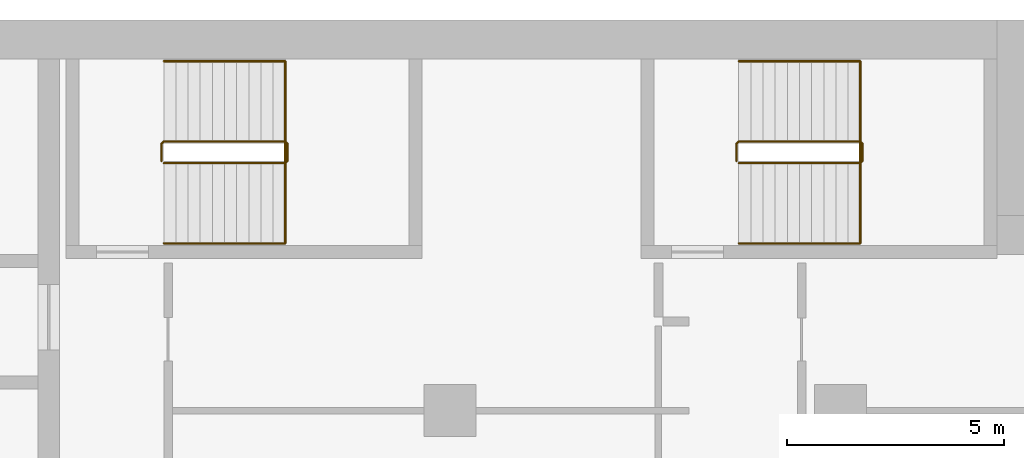
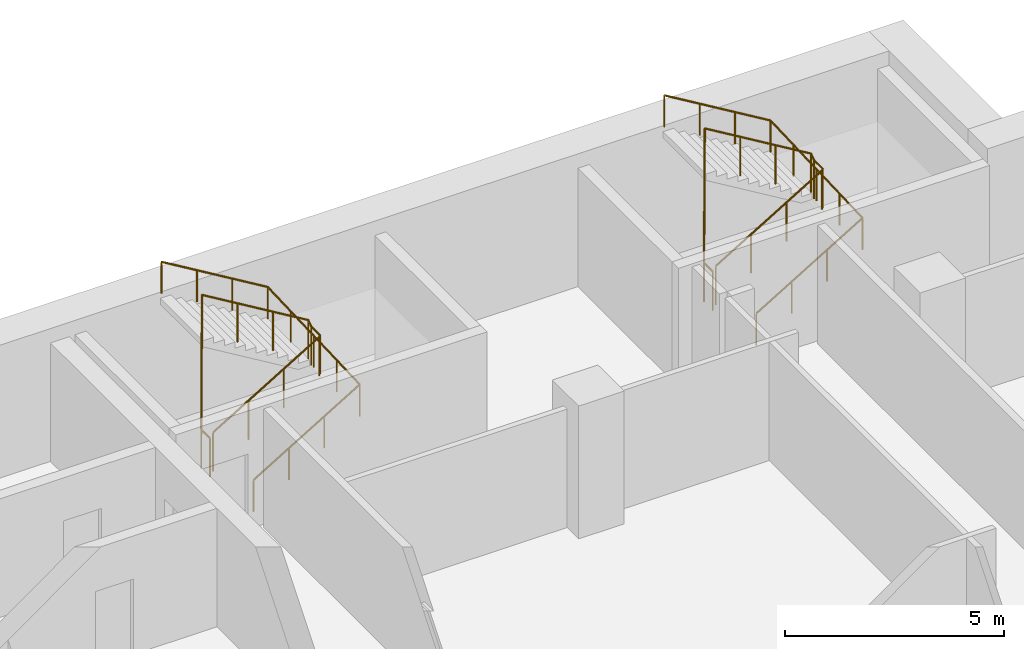
# One storey, part 22 of 22: 4 railings.
"""IFC4 building model written with IfcOpenShell, lengths in metres."""

from ifc_helpers import new_model, si_unit, direction, frame, origin, origin_2d, place, context, subcontext, project, spatial, circle, extrude, material, type_object, element, save


model = new_model("IFC4")

# Units and contexts
model_context = context("Model", 3, precision=1e-05, world=origin(), true_north=direction((0.0, 1.0)))
body_context = subcontext(model_context, "Body", "Model", "MODEL_VIEW")
ifc_project = project(units=[si_unit("LENGTHUNIT", "METRE"), si_unit("AREAUNIT", "SQUARE_METRE"), si_unit("VOLUMEUNIT", "CUBIC_METRE"), si_unit("PLANEANGLEUNIT", "RADIAN"), si_unit("MASSUNIT", "GRAM", prefix="KILO")], contexts=[model_context])

# Site, building, storey
site_placement = place(None, origin())
site = spatial("IfcSite", under=ifc_project, at=site_placement, CompositionType="ELEMENT")
building_placement = place(site_placement, origin())
building = spatial("IfcBuilding", under=site, at=building_placement, Name="Hunhe Ridgeline Campus", CompositionType="ELEMENT")
storey_placement = place(building_placement, frame((0.0, 0.0, 163.39990234375)))
storey = spatial("IfcBuildingStorey", under=building, at=storey_placement, Name="L41", CompositionType="ELEMENT", Elevation=163.39990234375)

# Railings
ifc_material_1 = material(Name="Stainless steel balustrade", Category="steel")
railing_type_1 = type_object("IfcRailingType", Name="Stair guard 1100 stainless", PredefinedType="GUARDRAIL", material=ifc_material_1)
railing_1_placement = place(storey_placement, frame((38.39990234375, 95.699951171875, 0.168212890625)))
element("IfcRailing", 1, at=railing_1_placement, inside=storey, type_object=railing_type_1, Name="L41 stair E1 guard", PredefinedType="GUARDRAIL", context=body_context, shape_type="SweptSolid", body=[
    extrude(circle(Radius=0.02392578125, at=origin_2d()), frame((0.0, 0.0, 1.076171875), z_axis=(0.857242210791, 0.0, 0.514913383045), x_axis=(0.0, 1.0, 0.0)), (0.0, 0.0, 1.0), 3.266357421875),
    extrude(circle(Radius=0.02392578125, at=origin_2d()), frame((2.800048828125, 0.0, 2.7578125), z_axis=(0.707106781187, 0.707106781187, 0.0), x_axis=(-0.707106781187, 0.707106781187, 0.0)), (0.0, 0.0, 1.0), 0.07080078125),
    extrude(circle(Radius=0.02392578125, at=origin_2d()), frame((2.85009765625, 0.050048828125, 2.7578125), z_axis=(0.0, 1.0, 0.0), x_axis=(-1.0, 0.0, 0.0)), (0.0, 0.0, 1.0), 0.39990234375),
    extrude(circle(Radius=0.02392578125, at=origin_2d()), frame((2.85009765625, 0.449951171875, 2.7578125), z_axis=(-0.274243871929, 0.274243871929, 0.92172696468), x_axis=(-0.707106781187, -0.707106781187, 0.0)), (0.0, 0.0, 1.0), 0.1826171875),
    extrude(circle(Radius=0.02392578125, at=origin_2d()), frame((2.800048828125, 0.5, 2.92626953125), z_axis=(-0.857242210791, 0.0, 0.514913383045), x_axis=(0.0, -1.0, 0.0)), (0.0, 0.0, 1.0), 3.266357421875),
    extrude(circle(Radius=0.02392578125, at=origin_2d()), frame((0.0, 0.5, 4.60791015625), z_axis=(-0.013457565943, -0.013523534403, -0.999817987404), x_axis=(0.708833529934, -0.705375805398, 0.0)), (0.0, 0.0, 1.0), 3.700927734375),
    extrude(circle(Radius=0.02392578125, at=origin_2d()), frame((-0.0498046875, 0.449951171875, 0.90771484375), z_axis=(0.0, -1.0, 0.0), x_axis=(1.0, 0.0, 0.0)), (0.0, 0.0, 1.0), 0.39990234375),
    extrude(circle(Radius=0.02099609375, at=origin_2d()), origin(), (0.0, 0.0, 1.0), 1.052001953125),
    extrude(circle(Radius=0.02099609375, at=origin_2d()), frame((0.933349609375, 0.0, 0.560546875)), (0.0, 0.0, 1.0), 1.052001953125),
    extrude(circle(Radius=0.02099609375, at=origin_2d()), frame((1.86669921875, 0.0, 1.121337890625)), (0.0, 0.0, 1.0), 1.052001953125),
    extrude(circle(Radius=0.02099609375, at=origin_2d()), frame((2.800048828125, 0.0, 1.681884765625)), (0.0, 0.0, 1.0), 1.052001953125),
    extrude(circle(Radius=0.02099609375, at=origin_2d()), frame((2.85009765625, 0.050048828125, 1.681884765625)), (0.0, 0.0, 1.0), 1.052001953125),
    extrude(circle(Radius=0.02099609375, at=origin_2d()), frame((2.85009765625, 0.449951171875, 1.681884765625)), (0.0, 0.0, 1.0), 1.052001953125),
    extrude(circle(Radius=0.02099609375, at=origin_2d()), frame((2.800048828125, 0.5, 1.85009765625)), (0.0, 0.0, 1.0), 1.052001953125),
    extrude(circle(Radius=0.02099609375, at=origin_2d()), frame((1.86669921875, 0.5, 2.41064453125)), (0.0, 0.0, 1.0), 1.052001953125),
    extrude(circle(Radius=0.02099609375, at=origin_2d()), frame((0.933349609375, 0.5, 2.971435546875)), (0.0, 0.0, 1.0), 1.052001953125),
    extrude(circle(Radius=0.02099609375, at=origin_2d()), frame((0.0, 0.5, 3.531982421875)), (0.0, 0.0, 1.0), 1.052001953125),
    extrude(circle(Radius=0.02099609375, at=origin_2d()), frame((-0.012451171875, 0.487548828125, 2.60693359375)), (0.0, 0.0, 1.0), 1.052001953125),
    extrude(circle(Radius=0.02099609375, at=origin_2d()), frame((-0.02490234375, 0.47509765625, 1.681884765625)), (0.0, 0.0, 1.0), 1.052001953125),
    extrude(circle(Radius=0.02099609375, at=origin_2d()), frame((-0.037353515625, 0.46240234375, 0.7568359375)), (0.0, 0.0, 1.0), 1.052001953125),
    extrude(circle(Radius=0.02099609375, at=origin_2d()), frame((-0.0498046875, 0.449951171875, -0.168212890625)), (0.0, 0.0, 1.0), 1.052001953125),
    extrude(circle(Radius=0.02099609375, at=origin_2d()), frame((-0.0498046875, 0.050048828125, -0.168212890625)), (0.0, 0.0, 1.0), 1.052001953125),
])
railing_2_placement = place(storey_placement, frame((51.64990234375, 95.699951171875, 0.168212890625)))
element("IfcRailing", 2, at=railing_2_placement, inside=storey, type_object=railing_type_1, Name="L41 stair E2 guard", PredefinedType="GUARDRAIL", context=body_context, shape_type="SweptSolid", body=[
    extrude(circle(Radius=0.02392578125, at=origin_2d()), frame((0.0, 0.0, 1.076171875), z_axis=(0.857242210791, 0.0, 0.514913383045), x_axis=(0.0, 1.0, 0.0)), (0.0, 0.0, 1.0), 3.266357421875),
    extrude(circle(Radius=0.02392578125, at=origin_2d()), frame((2.800048828125, 0.0, 2.7578125), z_axis=(0.707106781187, 0.707106781187, 0.0), x_axis=(-0.707106781187, 0.707106781187, 0.0)), (0.0, 0.0, 1.0), 0.07080078125),
    extrude(circle(Radius=0.02392578125, at=origin_2d()), frame((2.85009765625, 0.050048828125, 2.7578125), z_axis=(0.0, 1.0, 0.0), x_axis=(-1.0, 0.0, 0.0)), (0.0, 0.0, 1.0), 0.39990234375),
    extrude(circle(Radius=0.02392578125, at=origin_2d()), frame((2.85009765625, 0.449951171875, 2.7578125), z_axis=(-0.274243871929, 0.274243871929, 0.92172696468), x_axis=(-0.707106781187, -0.707106781187, 0.0)), (0.0, 0.0, 1.0), 0.1826171875),
    extrude(circle(Radius=0.02392578125, at=origin_2d()), frame((2.800048828125, 0.5, 2.92626953125), z_axis=(-0.857242210791, 0.0, 0.514913383045), x_axis=(0.0, -1.0, 0.0)), (0.0, 0.0, 1.0), 3.266357421875),
    extrude(circle(Radius=0.02392578125, at=origin_2d()), frame((0.0, 0.5, 4.60791015625), z_axis=(-0.013457565943, -0.013523534403, -0.999817987404), x_axis=(0.708833529934, -0.705375805398, 0.0)), (0.0, 0.0, 1.0), 3.700927734375),
    extrude(circle(Radius=0.02392578125, at=origin_2d()), frame((-0.0498046875, 0.449951171875, 0.90771484375), z_axis=(0.0, -1.0, 0.0), x_axis=(1.0, 0.0, 0.0)), (0.0, 0.0, 1.0), 0.39990234375),
    extrude(circle(Radius=0.02099609375, at=origin_2d()), origin(), (0.0, 0.0, 1.0), 1.052001953125),
    extrude(circle(Radius=0.02099609375, at=origin_2d()), frame((0.933349609375, 0.0, 0.560546875)), (0.0, 0.0, 1.0), 1.052001953125),
    extrude(circle(Radius=0.02099609375, at=origin_2d()), frame((1.86669921875, 0.0, 1.121337890625)), (0.0, 0.0, 1.0), 1.052001953125),
    extrude(circle(Radius=0.02099609375, at=origin_2d()), frame((2.800048828125, 0.0, 1.681884765625)), (0.0, 0.0, 1.0), 1.052001953125),
    extrude(circle(Radius=0.02099609375, at=origin_2d()), frame((2.85009765625, 0.050048828125, 1.681884765625)), (0.0, 0.0, 1.0), 1.052001953125),
    extrude(circle(Radius=0.02099609375, at=origin_2d()), frame((2.85009765625, 0.449951171875, 1.681884765625)), (0.0, 0.0, 1.0), 1.052001953125),
    extrude(circle(Radius=0.02099609375, at=origin_2d()), frame((2.800048828125, 0.5, 1.85009765625)), (0.0, 0.0, 1.0), 1.052001953125),
    extrude(circle(Radius=0.02099609375, at=origin_2d()), frame((1.86669921875, 0.5, 2.41064453125)), (0.0, 0.0, 1.0), 1.052001953125),
    extrude(circle(Radius=0.02099609375, at=origin_2d()), frame((0.933349609375, 0.5, 2.971435546875)), (0.0, 0.0, 1.0), 1.052001953125),
    extrude(circle(Radius=0.02099609375, at=origin_2d()), frame((0.0, 0.5, 3.531982421875)), (0.0, 0.0, 1.0), 1.052001953125),
    extrude(circle(Radius=0.02099609375, at=origin_2d()), frame((-0.012451171875, 0.487548828125, 2.60693359375)), (0.0, 0.0, 1.0), 1.052001953125),
    extrude(circle(Radius=0.02099609375, at=origin_2d()), frame((-0.02490234375, 0.47509765625, 1.681884765625)), (0.0, 0.0, 1.0), 1.052001953125),
    extrude(circle(Radius=0.02099609375, at=origin_2d()), frame((-0.037353515625, 0.46240234375, 0.7568359375)), (0.0, 0.0, 1.0), 1.052001953125),
    extrude(circle(Radius=0.02099609375, at=origin_2d()), frame((-0.0498046875, 0.449951171875, -0.168212890625)), (0.0, 0.0, 1.0), 1.052001953125),
    extrude(circle(Radius=0.02099609375, at=origin_2d()), frame((-0.0498046875, 0.050048828125, -0.168212890625)), (0.0, 0.0, 1.0), 1.052001953125),
])
ifc_material_2 = material(Name="Stainless steel handrail", Category="steel")
railing_type_2 = type_object("IfcRailingType", Name="Stair handrail 900 stainless", PredefinedType="HANDRAIL", material=ifc_material_2)
railing_3_placement = place(storey_placement, frame((38.39990234375, 93.85009765625, 0.168212890625)))
element("IfcRailing", 3, at=railing_3_placement, inside=storey, type_object=railing_type_2, Name="L41 stair E1 handrail", PredefinedType="HANDRAIL", context=body_context, shape_type="SweptSolid", body=[
    extrude(circle(Radius=0.02392578125, at=origin_2d()), frame((0.0, 0.0, 0.8759765625), z_axis=(0.857242210791, 0.0, 0.514913383045), x_axis=(0.0, 1.0, 0.0)), (0.0, 0.0, 1.0), 3.266357421875),
    extrude(circle(Radius=0.02392578125, at=origin_2d()), frame((2.800048828125, 0.0, 2.5576171875), z_axis=(0.0, 0.999198916169, 0.040019069537), x_axis=(-1.0, 0.0, 0.0)), (0.0, 0.0, 1.0), 4.203369140625),
    extrude(circle(Radius=0.02392578125, at=origin_2d()), frame((2.800048828125, 4.199951171875, 2.72607421875), z_axis=(-0.857242210791, 0.0, 0.514913383045), x_axis=(0.0, -1.0, 0.0)), (0.0, 0.0, 1.0), 3.266357421875),
    extrude(circle(Radius=0.02099609375, at=origin_2d()), origin(), (0.0, 0.0, 1.0), 0.851806640625),
    extrude(circle(Radius=0.02099609375, at=origin_2d()), frame((0.933349609375, 0.0, 0.560546875)), (0.0, 0.0, 1.0), 0.851806640625),
    extrude(circle(Radius=0.02099609375, at=origin_2d()), frame((1.86669921875, 0.0, 1.121337890625)), (0.0, 0.0, 1.0), 0.851806640625),
    extrude(circle(Radius=0.02099609375, at=origin_2d()), frame((2.800048828125, 0.0, 1.681884765625)), (0.0, 0.0, 1.0), 0.851806640625),
    extrude(circle(Radius=0.02099609375, at=origin_2d()), frame((2.800048828125, 1.050048828125, 1.723876953125)), (0.0, 0.0, 1.0), 0.851806640625),
    extrude(circle(Radius=0.02099609375, at=origin_2d()), frame((2.800048828125, 2.10009765625, 1.76611328125)), (0.0, 0.0, 1.0), 0.851806640625),
    extrude(circle(Radius=0.02099609375, at=origin_2d()), frame((2.800048828125, 3.14990234375, 1.80810546875)), (0.0, 0.0, 1.0), 0.851806640625),
    extrude(circle(Radius=0.02099609375, at=origin_2d()), frame((2.800048828125, 4.199951171875, 1.85009765625)), (0.0, 0.0, 1.0), 0.851806640625),
    extrude(circle(Radius=0.02099609375, at=origin_2d()), frame((1.86669921875, 4.199951171875, 2.41064453125)), (0.0, 0.0, 1.0), 0.851806640625),
    extrude(circle(Radius=0.02099609375, at=origin_2d()), frame((0.933349609375, 4.199951171875, 2.971435546875)), (0.0, 0.0, 1.0), 0.851806640625),
    extrude(circle(Radius=0.02099609375, at=origin_2d()), frame((0.0, 4.199951171875, 3.531982421875)), (0.0, 0.0, 1.0), 0.851806640625),
])
railing_4_placement = place(storey_placement, frame((51.64990234375, 93.85009765625, 0.168212890625)))
element("IfcRailing", 4, at=railing_4_placement, inside=storey, type_object=railing_type_2, Name="L41 stair E2 handrail", PredefinedType="HANDRAIL", context=body_context, shape_type="SweptSolid", body=[
    extrude(circle(Radius=0.02392578125, at=origin_2d()), frame((0.0, 0.0, 0.8759765625), z_axis=(0.857242210791, 0.0, 0.514913383045), x_axis=(0.0, 1.0, 0.0)), (0.0, 0.0, 1.0), 3.266357421875),
    extrude(circle(Radius=0.02392578125, at=origin_2d()), frame((2.800048828125, 0.0, 2.5576171875), z_axis=(0.0, 0.999198916169, 0.040019069537), x_axis=(-1.0, 0.0, 0.0)), (0.0, 0.0, 1.0), 4.203369140625),
    extrude(circle(Radius=0.02392578125, at=origin_2d()), frame((2.800048828125, 4.199951171875, 2.72607421875), z_axis=(-0.857242210791, 0.0, 0.514913383045), x_axis=(0.0, -1.0, 0.0)), (0.0, 0.0, 1.0), 3.266357421875),
    extrude(circle(Radius=0.02099609375, at=origin_2d()), origin(), (0.0, 0.0, 1.0), 0.851806640625),
    extrude(circle(Radius=0.02099609375, at=origin_2d()), frame((0.933349609375, 0.0, 0.560546875)), (0.0, 0.0, 1.0), 0.851806640625),
    extrude(circle(Radius=0.02099609375, at=origin_2d()), frame((1.86669921875, 0.0, 1.121337890625)), (0.0, 0.0, 1.0), 0.851806640625),
    extrude(circle(Radius=0.02099609375, at=origin_2d()), frame((2.800048828125, 0.0, 1.681884765625)), (0.0, 0.0, 1.0), 0.851806640625),
    extrude(circle(Radius=0.02099609375, at=origin_2d()), frame((2.800048828125, 1.050048828125, 1.723876953125)), (0.0, 0.0, 1.0), 0.851806640625),
    extrude(circle(Radius=0.02099609375, at=origin_2d()), frame((2.800048828125, 2.10009765625, 1.76611328125)), (0.0, 0.0, 1.0), 0.851806640625),
    extrude(circle(Radius=0.02099609375, at=origin_2d()), frame((2.800048828125, 3.14990234375, 1.80810546875)), (0.0, 0.0, 1.0), 0.851806640625),
    extrude(circle(Radius=0.02099609375, at=origin_2d()), frame((2.800048828125, 4.199951171875, 1.85009765625)), (0.0, 0.0, 1.0), 0.851806640625),
    extrude(circle(Radius=0.02099609375, at=origin_2d()), frame((1.86669921875, 4.199951171875, 2.41064453125)), (0.0, 0.0, 1.0), 0.851806640625),
    extrude(circle(Radius=0.02099609375, at=origin_2d()), frame((0.933349609375, 4.199951171875, 2.971435546875)), (0.0, 0.0, 1.0), 0.851806640625),
    extrude(circle(Radius=0.02099609375, at=origin_2d()), frame((0.0, 4.199951171875, 3.531982421875)), (0.0, 0.0, 1.0), 0.851806640625),
])

save(model, "model.ifc")
